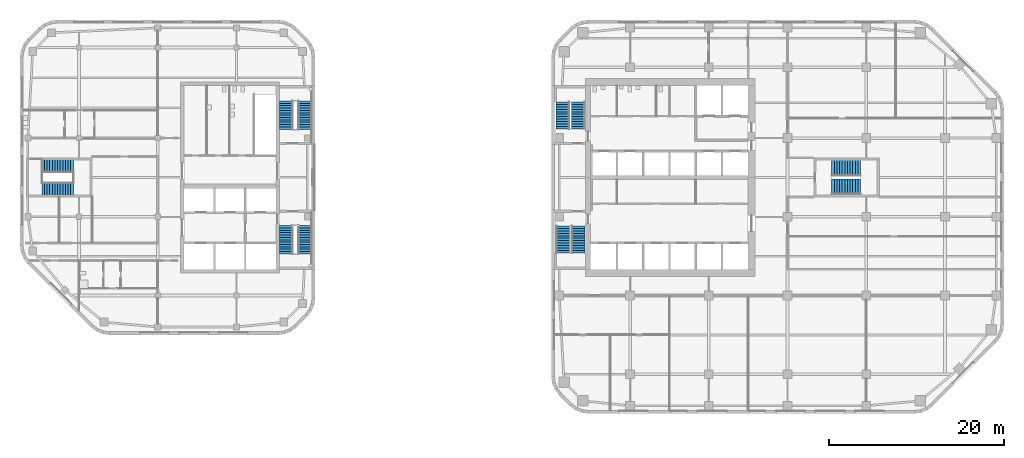
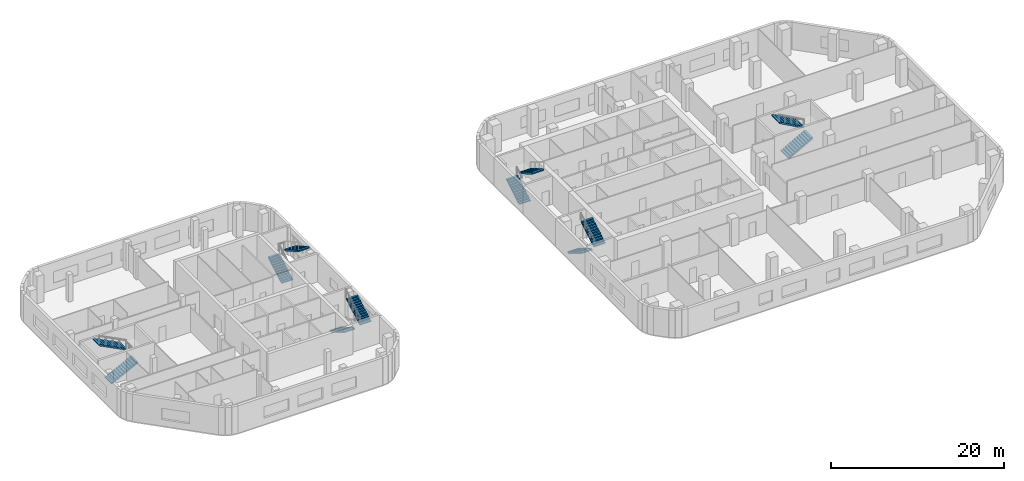
# One storey, part 11 of 14: 12 stair flights, 6 elements without a shape of their own.
"""IFC4 building model written with IfcOpenShell, lengths in metres."""

from ifc_helpers import new_model, si_unit, direction, frame, origin, place, context, subcontext, project, spatial, polyline, outline, extrude, material, type_object, element, aggregate, save


model = new_model("IFC4")

# Units and contexts
model_context = context("Model", 3, precision=1e-05, world=origin(), true_north=direction((0.0, 1.0)))
body_context = subcontext(model_context, "Body", "Model", "MODEL_VIEW")
ifc_project = project(units=[si_unit("LENGTHUNIT", "METRE"), si_unit("AREAUNIT", "SQUARE_METRE"), si_unit("VOLUMEUNIT", "CUBIC_METRE"), si_unit("PLANEANGLEUNIT", "RADIAN"), si_unit("MASSUNIT", "GRAM", prefix="KILO")], contexts=[model_context])

# Site, building, storey
site_placement = place(None, origin())
site = spatial("IfcSite", under=ifc_project, at=site_placement, CompositionType="ELEMENT")
building_placement = place(site_placement, origin())
building = spatial("IfcBuilding", under=site, at=building_placement, Name="Cinnabar Reach Civic Tower", CompositionType="ELEMENT")
storey_placement = place(building_placement, frame((0.0, 0.0, 128.0)))
storey = spatial("IfcBuildingStorey", under=building, at=storey_placement, Name="L30", CompositionType="ELEMENT", Elevation=128.0)

# Stair, stair flights
ifc_material_1 = material(Name="Concrete C40/50", Category="concrete")
stair_type_1 = type_object("IfcStairType", Name="T1 Exit stair, half-turn", PredefinedType="HALF_TURN_STAIR", material=ifc_material_1)
stair_1_placement = place(storey_placement, origin())
stair_1 = element("IfcStair", 1, at=stair_1_placement, inside=storey, type_object=stair_type_1, Name="Stair T1-S1", PredefinedType="HALF_TURN_STAIR")
stair_flight_type_1 = type_object("IfcStairFlightType", Name="T1 Stair flight, concrete", PredefinedType="STRAIGHT", material=ifc_material_1)
stair_flight_1_placement = place(storey_placement, frame((1.3125, 25.95, 0.0), z_axis=(0.0, 0.0, 1.0), x_axis=(0.0, -1.0, 0.0)))
stair_flight_1 = element("IfcStairFlight", 2, at=stair_flight_1_placement, type_object=stair_flight_type_1, Name="T1-S1 flight 1", NumberOfRisers=12, NumberOfTreads=11, PredefinedType="STRAIGHT", RiserHeight=0.166666667, TreadLength=0.28, context=body_context, shape_type="SweptSolid", body=[
    extrude(outline(polyline([(0.0, 0.0), (0.0, 0.1667), (0.28, 0.1667), (0.28, 0.3333), (0.56, 0.3333), (0.56, 0.5), (0.84, 0.5), (0.84, 0.6667), (1.12, 0.6667), (1.12, 0.8333), (1.4, 0.8333), (1.4, 1.0), (1.68, 1.0), (1.68, 1.1667), (1.96, 1.1667), (1.96, 1.3333), (2.24, 1.3333), (2.24, 1.5), (2.52, 1.5), (2.52, 1.6667), (2.8, 1.6667), (2.8, 1.8333), (3.08, 1.8333), (3.08, 2.0), (3.08, 1.6588), (0.2933, 0.0), (0.0, 0.0)])), frame((0.0, 0.7625, 0.0), z_axis=(0.0, -1.0, 0.0), x_axis=(1.0, 0.0, 0.0)), (0.0, 0.0, 1.0), 1.525),
])
stair_flight_2_placement = place(storey_placement, frame((3.0875, 22.87, 2.0), z_axis=(0.0, 0.0, 1.0), x_axis=(0.0, 1.0, 0.0)))
stair_flight_2 = element("IfcStairFlight", 3, at=stair_flight_2_placement, type_object=stair_flight_type_1, Name="T1-S1 flight 2", NumberOfRisers=12, NumberOfTreads=11, PredefinedType="STRAIGHT", RiserHeight=0.166666667, TreadLength=0.28, context=body_context, shape_type="SweptSolid", body=[
    extrude(outline(polyline([(0.0, 0.0), (0.0, 0.1667), (0.28, 0.1667), (0.28, 0.3333), (0.56, 0.3333), (0.56, 0.5), (0.84, 0.5), (0.84, 0.6667), (1.12, 0.6667), (1.12, 0.8333), (1.4, 0.8333), (1.4, 1.0), (1.68, 1.0), (1.68, 1.1667), (1.96, 1.1667), (1.96, 1.3333), (2.24, 1.3333), (2.24, 1.5), (2.52, 1.5), (2.52, 1.6667), (2.8, 1.6667), (2.8, 1.8333), (3.08, 1.8333), (3.08, 2.0), (3.08, 1.6588), (0.2933, 0.0), (0.0, 0.0)])), frame((0.0, 0.7625, 0.0), z_axis=(0.0, -1.0, 0.0), x_axis=(1.0, 0.0, 0.0)), (0.0, 0.0, 1.0), 1.525),
])
aggregate(stair_1, [stair_flight_1, stair_flight_2])

stair_2_placement = place(storey_placement, origin())
stair_2 = element("IfcStair", 4, at=stair_2_placement, inside=storey, type_object=stair_type_1, Name="Stair T1-S2", PredefinedType="HALF_TURN_STAIR")
stair_flight_3_placement = place(storey_placement, frame((1.3125, 37.05, 0.0), z_axis=(0.0, 0.0, 1.0), x_axis=(0.0, 1.0, 0.0)))
stair_flight_3 = element("IfcStairFlight", 5, at=stair_flight_3_placement, type_object=stair_flight_type_1, Name="T1-S2 flight 1", NumberOfRisers=12, NumberOfTreads=11, PredefinedType="STRAIGHT", RiserHeight=0.166666667, TreadLength=0.28, context=body_context, shape_type="SweptSolid", body=[
    extrude(outline(polyline([(0.0, 0.0), (0.0, 0.1667), (0.28, 0.1667), (0.28, 0.3333), (0.56, 0.3333), (0.56, 0.5), (0.84, 0.5), (0.84, 0.6667), (1.12, 0.6667), (1.12, 0.8333), (1.4, 0.8333), (1.4, 1.0), (1.68, 1.0), (1.68, 1.1667), (1.96, 1.1667), (1.96, 1.3333), (2.24, 1.3333), (2.24, 1.5), (2.52, 1.5), (2.52, 1.6667), (2.8, 1.6667), (2.8, 1.8333), (3.08, 1.8333), (3.08, 2.0), (3.08, 1.6588), (0.2933, 0.0), (0.0, 0.0)])), frame((0.0, 0.7625, 0.0), z_axis=(0.0, -1.0, 0.0), x_axis=(1.0, 0.0, 0.0)), (0.0, 0.0, 1.0), 1.525),
])
stair_flight_4_placement = place(storey_placement, frame((3.0875, 40.13, 2.0), z_axis=(0.0, 0.0, 1.0), x_axis=(0.0, -1.0, 0.0)))
stair_flight_4 = element("IfcStairFlight", 6, at=stair_flight_4_placement, type_object=stair_flight_type_1, Name="T1-S2 flight 2", NumberOfRisers=12, NumberOfTreads=11, PredefinedType="STRAIGHT", RiserHeight=0.166666667, TreadLength=0.28, context=body_context, shape_type="SweptSolid", body=[
    extrude(outline(polyline([(0.0, 0.0), (0.0, 0.1667), (0.28, 0.1667), (0.28, 0.3333), (0.56, 0.3333), (0.56, 0.5), (0.84, 0.5), (0.84, 0.6667), (1.12, 0.6667), (1.12, 0.8333), (1.4, 0.8333), (1.4, 1.0), (1.68, 1.0), (1.68, 1.1667), (1.96, 1.1667), (1.96, 1.3333), (2.24, 1.3333), (2.24, 1.5), (2.52, 1.5), (2.52, 1.6667), (2.8, 1.6667), (2.8, 1.8333), (3.08, 1.8333), (3.08, 2.0), (3.08, 1.6588), (0.2933, 0.0), (0.0, 0.0)])), frame((0.0, 0.7625, 0.0), z_axis=(0.0, -1.0, 0.0), x_axis=(1.0, 0.0, 0.0)), (0.0, 0.0, 1.0), 1.525),
])
aggregate(stair_2, [stair_flight_3, stair_flight_4])

stair_3_placement = place(storey_placement, origin())
stair_3 = element("IfcStair", 7, at=stair_3_placement, inside=storey, type_object=stair_type_1, Name="Stair T1-S3", PredefinedType="HALF_TURN_STAIR")
stair_flight_5_placement = place(storey_placement, frame((32.05, 30.45, 0.0), z_axis=(0.0, 0.0, 1.0), x_axis=(1.0, 0.0, 0.0)))
stair_flight_5 = element("IfcStairFlight", 8, at=stair_flight_5_placement, type_object=stair_flight_type_1, Name="T1-S3 flight 1", NumberOfRisers=12, NumberOfTreads=11, PredefinedType="STRAIGHT", RiserHeight=0.166666667, TreadLength=0.3, context=body_context, shape_type="SweptSolid", body=[
    extrude(outline(polyline([(0.0, 0.0), (0.0, 0.1667), (0.3, 0.1667), (0.3, 0.3333), (0.6, 0.3333), (0.6, 0.5), (0.9, 0.5), (0.9, 0.6667), (1.2, 0.6667), (1.2, 0.8333), (1.5, 0.8333), (1.5, 1.0), (1.8, 1.0), (1.8, 1.1667), (2.1, 1.1667), (2.1, 1.3333), (2.4, 1.3333), (2.4, 1.5), (2.7, 1.5), (2.7, 1.6667), (3.0, 1.6667), (3.0, 1.8333), (3.3, 1.8333), (3.3, 2.0), (3.3, 1.6617), (0.3089, 0.0), (0.0, 0.0)])), frame((0.0, 0.9, 0.0), z_axis=(0.0, -1.0, 0.0), x_axis=(1.0, 0.0, 0.0)), (0.0, 0.0, 1.0), 1.8),
])
stair_flight_6_placement = place(storey_placement, frame((35.35, 32.55, 2.0), z_axis=(0.0, 0.0, 1.0), x_axis=(-1.0, 0.0, 0.0)))
stair_flight_6 = element("IfcStairFlight", 9, at=stair_flight_6_placement, type_object=stair_flight_type_1, Name="T1-S3 flight 2", NumberOfRisers=12, NumberOfTreads=11, PredefinedType="STRAIGHT", RiserHeight=0.166666667, TreadLength=0.3, context=body_context, shape_type="SweptSolid", body=[
    extrude(outline(polyline([(0.0, 0.0), (0.0, 0.1667), (0.3, 0.1667), (0.3, 0.3333), (0.6, 0.3333), (0.6, 0.5), (0.9, 0.5), (0.9, 0.6667), (1.2, 0.6667), (1.2, 0.8333), (1.5, 0.8333), (1.5, 1.0), (1.8, 1.0), (1.8, 1.1667), (2.1, 1.1667), (2.1, 1.3333), (2.4, 1.3333), (2.4, 1.5), (2.7, 1.5), (2.7, 1.6667), (3.0, 1.6667), (3.0, 1.8333), (3.3, 1.8333), (3.3, 2.0), (3.3, 1.6617), (0.3089, 0.0), (0.0, 0.0)])), frame((0.0, 0.9, 0.0), z_axis=(0.0, -1.0, 0.0), x_axis=(1.0, 0.0, 0.0)), (0.0, 0.0, 1.0), 1.8),
])
aggregate(stair_3, [stair_flight_5, stair_flight_6])

ifc_material_2 = material(Name="Concrete C40", Category="concrete")
stair_type_2 = type_object("IfcStairType", Name="T2 Exit stair 1500", PredefinedType="HALF_TURN_STAIR", material=ifc_material_2)
stair_4_placement = place(storey_placement, origin())
stair_4 = element("IfcStair", 10, at=stair_4_placement, inside=storey, type_object=stair_type_2, Name="Exit stair 1", PredefinedType="HALF_TURN_STAIR")
stair_flight_type_2 = type_object("IfcStairFlightType", Name="T2 Stair flight 1500", PredefinedType="STRAIGHT", material=ifc_material_2)
stair_flight_7_placement = place(storey_placement, frame((-30.35, 26.0, 0.0), z_axis=(0.0, 0.0, 1.0), x_axis=(0.0, -1.0, 0.0)))
stair_flight_7 = element("IfcStairFlight", 11, at=stair_flight_7_placement, type_object=stair_flight_type_2, Name="ST1 flight 1", NumberOfRisers=13, NumberOfTreads=12, PredefinedType="STRAIGHT", RiserHeight=0.153846154, TreadLength=0.270833333, context=body_context, shape_type="SweptSolid", body=[
    extrude(outline(polyline([(0.0, 0.0), (0.0, 0.1538), (0.2708, 0.1538), (0.2708, 0.3077), (0.5417, 0.3077), (0.5417, 0.4615), (0.8125, 0.4615), (0.8125, 0.6154), (1.0833, 0.6154), (1.0833, 0.7692), (1.3542, 0.7692), (1.3542, 0.9231), (1.625, 0.9231), (1.625, 1.0769), (1.8958, 1.0769), (1.8958, 1.2308), (2.1667, 1.2308), (2.1667, 1.3846), (2.4375, 1.3846), (2.4375, 1.5385), (2.7083, 1.5385), (2.7083, 1.6923), (2.9792, 1.6923), (2.9792, 1.8462), (3.25, 1.8462), (3.25, 2.0), (3.25, 1.6736), (0.3037, 0.0), (0.0, 0.0)])), frame((0.0, 0.75, 0.0), z_axis=(0.0, -1.0, 0.0), x_axis=(1.0, 0.0, 0.0)), (0.0, 0.0, 1.0), 1.5),
])
stair_flight_8_placement = place(storey_placement, frame((-28.15, 22.75, 2.0), z_axis=(0.0, 0.0, 1.0), x_axis=(0.0, 1.0, 0.0)))
stair_flight_8 = element("IfcStairFlight", 12, at=stair_flight_8_placement, type_object=stair_flight_type_2, Name="ST1 flight 2", NumberOfRisers=13, NumberOfTreads=12, PredefinedType="STRAIGHT", RiserHeight=0.153846154, TreadLength=0.270833333, context=body_context, shape_type="SweptSolid", body=[
    extrude(outline(polyline([(0.0, 0.0), (0.0, 0.1538), (0.2708, 0.1538), (0.2708, 0.3077), (0.5417, 0.3077), (0.5417, 0.4615), (0.8125, 0.4615), (0.8125, 0.6154), (1.0833, 0.6154), (1.0833, 0.7692), (1.3542, 0.7692), (1.3542, 0.9231), (1.625, 0.9231), (1.625, 1.0769), (1.8958, 1.0769), (1.8958, 1.2308), (2.1667, 1.2308), (2.1667, 1.3846), (2.4375, 1.3846), (2.4375, 1.5385), (2.7083, 1.5385), (2.7083, 1.6923), (2.9792, 1.6923), (2.9792, 1.8462), (3.25, 1.8462), (3.25, 2.0), (3.25, 1.6736), (0.3037, 0.0), (0.0, 0.0)])), frame((0.0, 0.75, 0.0), z_axis=(0.0, -1.0, 0.0), x_axis=(1.0, 0.0, 0.0)), (0.0, 0.0, 1.0), 1.5),
])
aggregate(stair_4, [stair_flight_7, stair_flight_8])

stair_5_placement = place(storey_placement, origin())
stair_5 = element("IfcStair", 13, at=stair_5_placement, inside=storey, type_object=stair_type_2, Name="Exit stair 2", PredefinedType="HALF_TURN_STAIR")
stair_flight_9_placement = place(storey_placement, frame((-30.35, 37.0, 0.0), z_axis=(0.0, 0.0, 1.0), x_axis=(0.0, 1.0, 0.0)))
stair_flight_9 = element("IfcStairFlight", 14, at=stair_flight_9_placement, type_object=stair_flight_type_2, Name="ST2 flight 1", NumberOfRisers=13, NumberOfTreads=12, PredefinedType="STRAIGHT", RiserHeight=0.153846154, TreadLength=0.270833333, context=body_context, shape_type="SweptSolid", body=[
    extrude(outline(polyline([(0.0, 0.0), (0.0, 0.1538), (0.2708, 0.1538), (0.2708, 0.3077), (0.5417, 0.3077), (0.5417, 0.4615), (0.8125, 0.4615), (0.8125, 0.6154), (1.0833, 0.6154), (1.0833, 0.7692), (1.3542, 0.7692), (1.3542, 0.9231), (1.625, 0.9231), (1.625, 1.0769), (1.8958, 1.0769), (1.8958, 1.2308), (2.1667, 1.2308), (2.1667, 1.3846), (2.4375, 1.3846), (2.4375, 1.5385), (2.7083, 1.5385), (2.7083, 1.6923), (2.9792, 1.6923), (2.9792, 1.8462), (3.25, 1.8462), (3.25, 2.0), (3.25, 1.6736), (0.3037, 0.0), (0.0, 0.0)])), frame((0.0, 0.75, 0.0), z_axis=(0.0, -1.0, 0.0), x_axis=(1.0, 0.0, 0.0)), (0.0, 0.0, 1.0), 1.5),
])
stair_flight_10_placement = place(storey_placement, frame((-28.15, 40.25, 2.0), z_axis=(0.0, 0.0, 1.0), x_axis=(0.0, -1.0, 0.0)))
stair_flight_10 = element("IfcStairFlight", 15, at=stair_flight_10_placement, type_object=stair_flight_type_2, Name="ST2 flight 2", NumberOfRisers=13, NumberOfTreads=12, PredefinedType="STRAIGHT", RiserHeight=0.153846154, TreadLength=0.270833333, context=body_context, shape_type="SweptSolid", body=[
    extrude(outline(polyline([(0.0, 0.0), (0.0, 0.1538), (0.2708, 0.1538), (0.2708, 0.3077), (0.5417, 0.3077), (0.5417, 0.4615), (0.8125, 0.4615), (0.8125, 0.6154), (1.0833, 0.6154), (1.0833, 0.7692), (1.3542, 0.7692), (1.3542, 0.9231), (1.625, 0.9231), (1.625, 1.0769), (1.8958, 1.0769), (1.8958, 1.2308), (2.1667, 1.2308), (2.1667, 1.3846), (2.4375, 1.3846), (2.4375, 1.5385), (2.7083, 1.5385), (2.7083, 1.6923), (2.9792, 1.6923), (2.9792, 1.8462), (3.25, 1.8462), (3.25, 2.0), (3.25, 1.6736), (0.3037, 0.0), (0.0, 0.0)])), frame((0.0, 0.75, 0.0), z_axis=(0.0, -1.0, 0.0), x_axis=(1.0, 0.0, 0.0)), (0.0, 0.0, 1.0), 1.5),
])
aggregate(stair_5, [stair_flight_9, stair_flight_10])

stair_6_placement = place(storey_placement, origin())
stair_6 = element("IfcStair", 16, at=stair_6_placement, inside=storey, type_object=stair_type_2, Name="Exit stair 3", PredefinedType="HALF_TURN_STAIR")
stair_flight_11_placement = place(storey_placement, frame((-58.25, 30.125, 0.0), z_axis=(0.0, 0.0, 1.0), x_axis=(1.0, 0.0, 0.0)))
stair_flight_11 = element("IfcStairFlight", 17, at=stair_flight_11_placement, type_object=stair_flight_type_2, Name="ST3 flight 1", NumberOfRisers=13, NumberOfTreads=12, PredefinedType="STRAIGHT", RiserHeight=0.153846154, TreadLength=0.3, context=body_context, shape_type="SweptSolid", body=[
    extrude(outline(polyline([(0.0, 0.0), (0.0, 0.1538), (0.3, 0.1538), (0.3, 0.3077), (0.6, 0.3077), (0.6, 0.4615), (0.9, 0.4615), (0.9, 0.6154), (1.2, 0.6154), (1.2, 0.7692), (1.5, 0.7692), (1.5, 0.9231), (1.8, 0.9231), (1.8, 1.0769), (2.1, 1.0769), (2.1, 1.2308), (2.4, 1.2308), (2.4, 1.3846), (2.7, 1.3846), (2.7, 1.5385), (3.0, 1.5385), (3.0, 1.6923), (3.3, 1.6923), (3.3, 1.8462), (3.6, 1.8462), (3.6, 2.0), (3.6, 1.6776), (0.3287, 0.0), (0.0, 0.0)])), frame((0.0, 0.75, 0.0), z_axis=(0.0, -1.0, 0.0), x_axis=(1.0, 0.0, 0.0)), (0.0, 0.0, 1.0), 1.5),
])
stair_flight_12_placement = place(storey_placement, frame((-54.65, 32.875, 2.0), z_axis=(0.0, 0.0, 1.0), x_axis=(-1.0, 0.0, 0.0)))
stair_flight_12 = element("IfcStairFlight", 18, at=stair_flight_12_placement, type_object=stair_flight_type_2, Name="ST3 flight 2", NumberOfRisers=13, NumberOfTreads=12, PredefinedType="STRAIGHT", RiserHeight=0.153846154, TreadLength=0.3, context=body_context, shape_type="SweptSolid", body=[
    extrude(outline(polyline([(0.0, 0.0), (0.0, 0.1538), (0.3, 0.1538), (0.3, 0.3077), (0.6, 0.3077), (0.6, 0.4615), (0.9, 0.4615), (0.9, 0.6154), (1.2, 0.6154), (1.2, 0.7692), (1.5, 0.7692), (1.5, 0.9231), (1.8, 0.9231), (1.8, 1.0769), (2.1, 1.0769), (2.1, 1.2308), (2.4, 1.2308), (2.4, 1.3846), (2.7, 1.3846), (2.7, 1.5385), (3.0, 1.5385), (3.0, 1.6923), (3.3, 1.6923), (3.3, 1.8462), (3.6, 1.8462), (3.6, 2.0), (3.6, 1.6776), (0.3287, 0.0), (0.0, 0.0)])), frame((0.0, 0.75, 0.0), z_axis=(0.0, -1.0, 0.0), x_axis=(1.0, 0.0, 0.0)), (0.0, 0.0, 1.0), 1.5),
])
aggregate(stair_6, [stair_flight_11, stair_flight_12])

save(model, "model.ifc")
